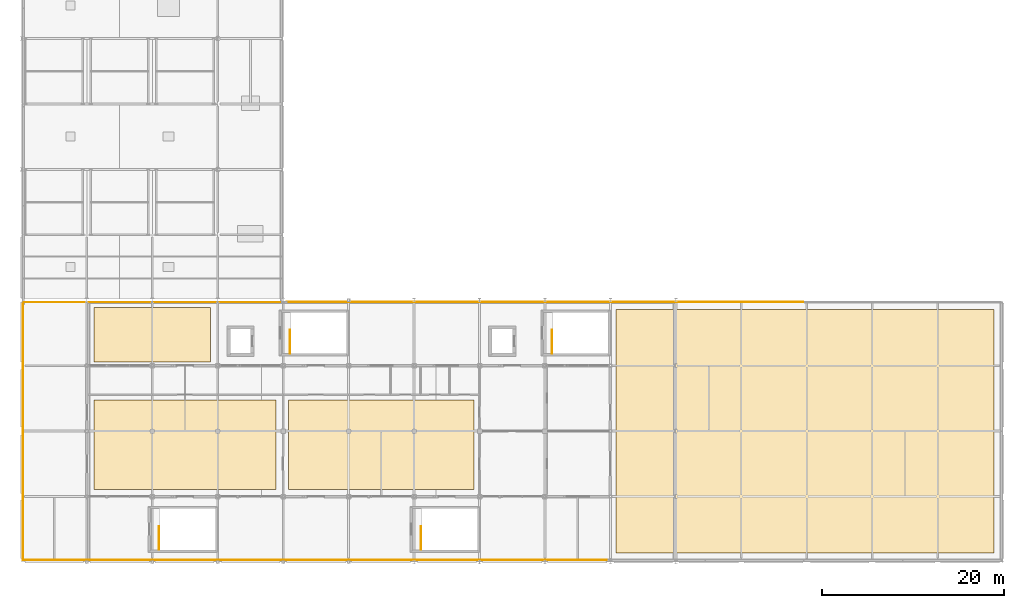
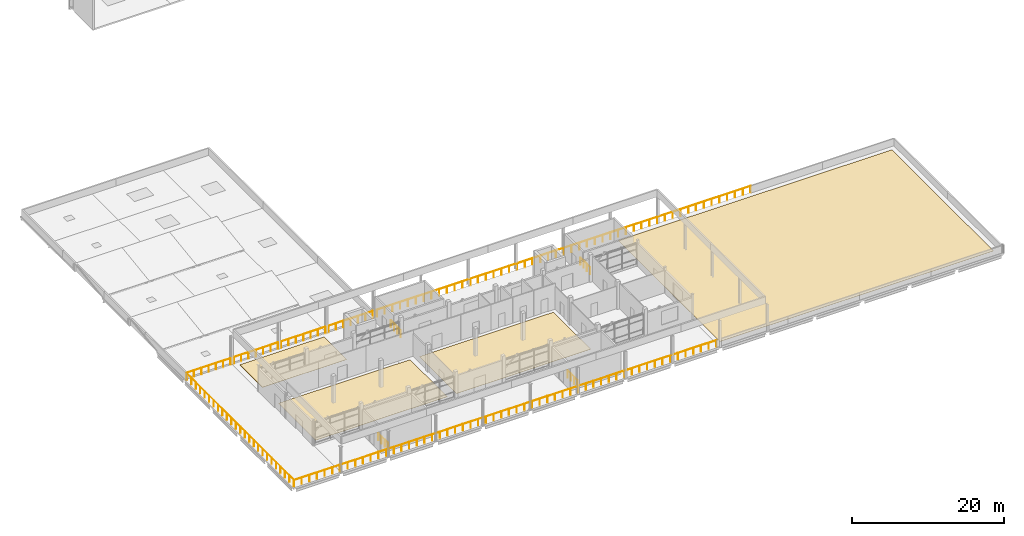
# One storey, part 28 of 32: 19 railings, 4 coverings.
"""IFC4 building model written with IfcOpenShell, lengths in metres."""

from ifc_helpers import new_model, si_unit, direction, frame, origin, origin_2d, place, context, subcontext, project, spatial, polyline, circle, outline, extrude, material, layer, layer_set, type_object, element, save


model = new_model("IFC4")

# Units and contexts
model_context = context("Model", 3, precision=1e-05, world=origin(), true_north=direction((0.0, 1.0)))
body_context = subcontext(model_context, "Body", "Model", "MODEL_VIEW")
ifc_project = project(units=[si_unit("LENGTHUNIT", "METRE"), si_unit("AREAUNIT", "SQUARE_METRE"), si_unit("VOLUMEUNIT", "CUBIC_METRE"), si_unit("PLANEANGLEUNIT", "RADIAN"), si_unit("MASSUNIT", "GRAM", prefix="KILO")], contexts=[model_context])

# Site, building, storey
site_placement = place(None, origin())
site = spatial("IfcSite", under=ifc_project, at=site_placement, CompositionType="ELEMENT")
building_placement = place(site_placement, origin())
building = spatial("IfcBuilding", under=site, at=building_placement, Name="Sardonyx Promenade Sports Hall", CompositionType="ELEMENT")
storey_placement = place(building_placement, frame((0.0, 0.0, 20.39990234375)))
storey = spatial("IfcBuildingStorey", under=building, at=storey_placement, Name="L04", CompositionType="ELEMENT", Elevation=20.39990234375)

# Coverings
ifc_material_1 = material(Name="EPDM polymeric athletic surfacing", Category="other")
ifc_layer = layer(ifc_material_1, 0.02490234375)
ifc_layer_set = layer_set([ifc_layer], Name="Cov_Floor_Athletic")
covering_type = type_object("IfcCoveringType", Name="Cov_Floor_Athletic", PredefinedType="FLOORING", material=ifc_layer_set)
covering_1_placement = place(storey_placement, origin())
element("IfcCovering", 1, at=covering_1_placement, inside=storey, type_object=covering_type, Name="Athletic flooring FLR2 L04 #21", PredefinedType="FLOORING", context=body_context, shape_type="SweptSolid", body=[
    extrude(outline(polyline([(8.0, 8.0), (28.0, 8.0), (28.0, 17.800048828125), (8.0, 17.800048828125), (8.0, 8.0)])), origin(), (0.0, 0.0, 1.0), 0.025146484375),
])
covering_2_placement = place(storey_placement, origin())
element("IfcCovering", 2, at=covering_2_placement, inside=storey, type_object=covering_type, Name="Athletic flooring FLR2 L04 #22", PredefinedType="FLOORING", context=body_context, shape_type="SweptSolid", body=[
    extrude(outline(polyline([(29.39990234375, 8.0), (49.800048828125, 8.0), (49.800048828125, 17.800048828125), (29.39990234375, 17.800048828125), (29.39990234375, 8.0)])), origin(), (0.0, 0.0, 1.0), 0.025146484375),
])
covering_3_placement = place(storey_placement, origin())
element("IfcCovering", 3, at=covering_3_placement, inside=storey, type_object=covering_type, Name="Athletic flooring FLR2 L04 #23", PredefinedType="FLOORING", context=body_context, shape_type="SweptSolid", body=[
    extrude(outline(polyline([(65.39990234375, 1.0), (107.0, 1.0), (107.0, 27.800048828125), (65.39990234375, 27.800048828125), (65.39990234375, 1.0)])), origin(), (0.0, 0.0, 1.0), 0.025146484375),
])
covering_4_placement = place(storey_placement, origin())
element("IfcCovering", 4, at=covering_4_placement, inside=storey, type_object=covering_type, Name="Athletic flooring FLR2 L04 #24", PredefinedType="FLOORING", context=body_context, shape_type="SweptSolid", body=[
    extrude(outline(polyline([(8.0, 22.0), (20.800048828125, 22.0), (20.800048828125, 28.0), (8.0, 28.0), (8.0, 22.0)])), origin(), (0.0, 0.0, 1.0), 0.025146484375),
])

# Railings
ifc_material_2 = material(Name="Galvanised and powder-coated Steel S355JR", Category="steel")
railing_type_1 = type_object("IfcRailingType", Name="Rail_Ext_Guard_1100", PredefinedType="GUARDRAIL", material=ifc_material_2)
railing_1_placement = place(storey_placement, frame((0.199951171875, 0.199951171875, 0.0)))
element("IfcRailing", 5, at=railing_1_placement, inside=storey, type_object=railing_type_1, Name="Terrace guardrail GR01 L04 #9", PredefinedType="GUARDRAIL", context=body_context, shape_type="SweptSolid", body=[
    extrude(circle(Radius=0.02392578125, at=origin_2d()), frame((0.0, 0.0, 1.0810546875), z_axis=(1.0, 0.0, 0.0), x_axis=(0.0, 1.0, 0.0)), (0.0, 0.0, 1.0), 12.840087890625),
    extrude(circle(Radius=0.02099609375, at=origin_2d()), origin(), (0.0, 0.0, 1.0), 1.056884765625),
    extrude(circle(Radius=0.02099609375, at=origin_2d()), frame((1.167236328125, 0.0, 0.0)), (0.0, 0.0, 1.0), 1.056884765625),
    extrude(circle(Radius=0.02099609375, at=origin_2d()), frame((2.33447265625, 0.0, 0.0)), (0.0, 0.0, 1.0), 1.056884765625),
    extrude(circle(Radius=0.02099609375, at=origin_2d()), frame((3.501953125, 0.0, 0.0)), (0.0, 0.0, 1.0), 1.056884765625),
    extrude(circle(Radius=0.02099609375, at=origin_2d()), frame((4.669189453125, 0.0, 0.0)), (0.0, 0.0, 1.0), 1.056884765625),
    extrude(circle(Radius=0.02099609375, at=origin_2d()), frame((5.83642578125, 0.0, 0.0)), (0.0, 0.0, 1.0), 1.056884765625),
    extrude(circle(Radius=0.02099609375, at=origin_2d()), frame((7.003662109375, 0.0, 0.0)), (0.0, 0.0, 1.0), 1.056884765625),
    extrude(circle(Radius=0.02099609375, at=origin_2d()), frame((8.1708984375, 0.0, 0.0)), (0.0, 0.0, 1.0), 1.056884765625),
    extrude(circle(Radius=0.02099609375, at=origin_2d()), frame((9.338134765625, 0.0, 0.0)), (0.0, 0.0, 1.0), 1.056884765625),
    extrude(circle(Radius=0.02099609375, at=origin_2d()), frame((10.505615234375, 0.0, 0.0)), (0.0, 0.0, 1.0), 1.056884765625),
    extrude(circle(Radius=0.02099609375, at=origin_2d()), frame((11.6728515625, 0.0, 0.0)), (0.0, 0.0, 1.0), 1.056884765625),
    extrude(circle(Radius=0.02099609375, at=origin_2d()), frame((12.840087890625, 0.0, 0.0)), (0.0, 0.0, 1.0), 1.056884765625),
])
railing_2_placement = place(storey_placement, frame((13.0400390625, 0.199951171875, 0.0)))
element("IfcRailing", 6, at=railing_2_placement, inside=storey, type_object=railing_type_1, Name="Terrace guardrail GR01 L04 #10", PredefinedType="GUARDRAIL", context=body_context, shape_type="SweptSolid", body=[
    extrude(circle(Radius=0.02392578125, at=origin_2d()), frame((0.0, 0.0, 1.0810546875), z_axis=(1.0, 0.0, 0.0), x_axis=(0.0, 1.0, 0.0)), (0.0, 0.0, 1.0), 12.83984375),
    extrude(circle(Radius=0.02099609375, at=origin_2d()), origin(), (0.0, 0.0, 1.0), 1.056884765625),
    extrude(circle(Radius=0.02099609375, at=origin_2d()), frame((1.167236328125, 0.0, 0.0)), (0.0, 0.0, 1.0), 1.056884765625),
    extrude(circle(Radius=0.02099609375, at=origin_2d()), frame((2.33447265625, 0.0, 0.0)), (0.0, 0.0, 1.0), 1.056884765625),
    extrude(circle(Radius=0.02099609375, at=origin_2d()), frame((3.501708984375, 0.0, 0.0)), (0.0, 0.0, 1.0), 1.056884765625),
    extrude(circle(Radius=0.02099609375, at=origin_2d()), frame((4.6689453125, 0.0, 0.0)), (0.0, 0.0, 1.0), 1.056884765625),
    extrude(circle(Radius=0.02099609375, at=origin_2d()), frame((5.836181640625, 0.0, 0.0)), (0.0, 0.0, 1.0), 1.056884765625),
    extrude(circle(Radius=0.02099609375, at=origin_2d()), frame((7.003662109375, 0.0, 0.0)), (0.0, 0.0, 1.0), 1.056884765625),
    extrude(circle(Radius=0.02099609375, at=origin_2d()), frame((8.1708984375, 0.0, 0.0)), (0.0, 0.0, 1.0), 1.056884765625),
    extrude(circle(Radius=0.02099609375, at=origin_2d()), frame((9.338134765625, 0.0, 0.0)), (0.0, 0.0, 1.0), 1.056884765625),
    extrude(circle(Radius=0.02099609375, at=origin_2d()), frame((10.50537109375, 0.0, 0.0)), (0.0, 0.0, 1.0), 1.056884765625),
    extrude(circle(Radius=0.02099609375, at=origin_2d()), frame((11.672607421875, 0.0, 0.0)), (0.0, 0.0, 1.0), 1.056884765625),
    extrude(circle(Radius=0.02099609375, at=origin_2d()), frame((12.83984375, 0.0, 0.0)), (0.0, 0.0, 1.0), 1.056884765625),
])
for number, where, name in (
    (7, (25.8798828125, 0.199951171875, 0.0), "Terrace guardrail GR01 L04 #11"),
    (8, (38.719970703125, 0.199951171875, 0.0), "Terrace guardrail GR01 L04 #12"),
):
    element("IfcRailing", number, at=place(storey_placement, frame(where)), inside=storey, type_object=railing_type_1, Name=name, PredefinedType="GUARDRAIL", context=body_context, shape_type="SweptSolid", body=[
        extrude(circle(Radius=0.02392578125, at=origin_2d()), frame((0.0, 0.0, 1.0810546875), z_axis=(1.0, 0.0, 0.0), x_axis=(0.0, 1.0, 0.0)), (0.0, 0.0, 1.0), 12.840087890625),
        extrude(circle(Radius=0.02099609375, at=origin_2d()), origin(), (0.0, 0.0, 1.0), 1.056884765625),
        extrude(circle(Radius=0.02099609375, at=origin_2d()), frame((1.167236328125, 0.0, 0.0)), (0.0, 0.0, 1.0), 1.056884765625),
        extrude(circle(Radius=0.02099609375, at=origin_2d()), frame((2.33447265625, 0.0, 0.0)), (0.0, 0.0, 1.0), 1.056884765625),
        extrude(circle(Radius=0.02099609375, at=origin_2d()), frame((3.501953125, 0.0, 0.0)), (0.0, 0.0, 1.0), 1.056884765625),
        extrude(circle(Radius=0.02099609375, at=origin_2d()), frame((4.669189453125, 0.0, 0.0)), (0.0, 0.0, 1.0), 1.056884765625),
        extrude(circle(Radius=0.02099609375, at=origin_2d()), frame((5.83642578125, 0.0, 0.0)), (0.0, 0.0, 1.0), 1.056884765625),
        extrude(circle(Radius=0.02099609375, at=origin_2d()), frame((7.003662109375, 0.0, 0.0)), (0.0, 0.0, 1.0), 1.056884765625),
        extrude(circle(Radius=0.02099609375, at=origin_2d()), frame((8.1708984375, 0.0, 0.0)), (0.0, 0.0, 1.0), 1.056884765625),
        extrude(circle(Radius=0.02099609375, at=origin_2d()), frame((9.338134765625, 0.0, 0.0)), (0.0, 0.0, 1.0), 1.056884765625),
        extrude(circle(Radius=0.02099609375, at=origin_2d()), frame((10.505615234375, 0.0, 0.0)), (0.0, 0.0, 1.0), 1.056884765625),
        extrude(circle(Radius=0.02099609375, at=origin_2d()), frame((11.6728515625, 0.0, 0.0)), (0.0, 0.0, 1.0), 1.056884765625),
        extrude(circle(Radius=0.02099609375, at=origin_2d()), frame((12.840087890625, 0.0, 0.0)), (0.0, 0.0, 1.0), 1.056884765625),
    ])
railing_3_placement = place(storey_placement, frame((51.56005859375, 0.199951171875, 0.0)))
element("IfcRailing", 9, at=railing_3_placement, inside=storey, type_object=railing_type_1, Name="Terrace guardrail GR01 L04 #13", PredefinedType="GUARDRAIL", context=body_context, shape_type="SweptSolid", body=[
    extrude(circle(Radius=0.02392578125, at=origin_2d()), frame((0.0, 0.0, 1.0810546875), z_axis=(1.0, 0.0, 0.0), x_axis=(0.0, 1.0, 0.0)), (0.0, 0.0, 1.0), 12.83984375),
    extrude(circle(Radius=0.02099609375, at=origin_2d()), origin(), (0.0, 0.0, 1.0), 1.056884765625),
    extrude(circle(Radius=0.02099609375, at=origin_2d()), frame((1.167236328125, 0.0, 0.0)), (0.0, 0.0, 1.0), 1.056884765625),
    extrude(circle(Radius=0.02099609375, at=origin_2d()), frame((2.33447265625, 0.0, 0.0)), (0.0, 0.0, 1.0), 1.056884765625),
    extrude(circle(Radius=0.02099609375, at=origin_2d()), frame((3.501708984375, 0.0, 0.0)), (0.0, 0.0, 1.0), 1.056884765625),
    extrude(circle(Radius=0.02099609375, at=origin_2d()), frame((4.6689453125, 0.0, 0.0)), (0.0, 0.0, 1.0), 1.056884765625),
    extrude(circle(Radius=0.02099609375, at=origin_2d()), frame((5.836181640625, 0.0, 0.0)), (0.0, 0.0, 1.0), 1.056884765625),
    extrude(circle(Radius=0.02099609375, at=origin_2d()), frame((7.003662109375, 0.0, 0.0)), (0.0, 0.0, 1.0), 1.056884765625),
    extrude(circle(Radius=0.02099609375, at=origin_2d()), frame((8.1708984375, 0.0, 0.0)), (0.0, 0.0, 1.0), 1.056884765625),
    extrude(circle(Radius=0.02099609375, at=origin_2d()), frame((9.338134765625, 0.0, 0.0)), (0.0, 0.0, 1.0), 1.056884765625),
    extrude(circle(Radius=0.02099609375, at=origin_2d()), frame((10.50537109375, 0.0, 0.0)), (0.0, 0.0, 1.0), 1.056884765625),
    extrude(circle(Radius=0.02099609375, at=origin_2d()), frame((11.672607421875, 0.0, 0.0)), (0.0, 0.0, 1.0), 1.056884765625),
    extrude(circle(Radius=0.02099609375, at=origin_2d()), frame((12.83984375, 0.0, 0.0)), (0.0, 0.0, 1.0), 1.056884765625),
])
railing_4_placement = place(storey_placement, frame((0.199951171875, 0.199951171875, 0.0)))
element("IfcRailing", 10, at=railing_4_placement, inside=storey, type_object=railing_type_1, Name="Terrace guardrail GR01 L04 #14", PredefinedType="GUARDRAIL", context=body_context, shape_type="SweptSolid", body=[
    extrude(circle(Radius=0.02392578125, at=origin_2d()), frame((0.0, 0.0, 1.0810546875), z_axis=(0.0, 1.0, 0.0), x_axis=(-1.0, 0.0, 0.0)), (0.0, 0.0, 1.0), 14.10009765625),
    extrude(circle(Radius=0.02099609375, at=origin_2d()), origin(), (0.0, 0.0, 1.0), 1.056884765625),
    extrude(circle(Radius=0.02099609375, at=origin_2d()), frame((0.0, 1.175048828125, 0.0)), (0.0, 0.0, 1.0), 1.056884765625),
    extrude(circle(Radius=0.02099609375, at=origin_2d()), frame((0.0, 2.35009765625, 0.0)), (0.0, 0.0, 1.0), 1.056884765625),
    extrude(circle(Radius=0.02099609375, at=origin_2d()), frame((0.0, 3.52490234375, 0.0)), (0.0, 0.0, 1.0), 1.056884765625),
    extrude(circle(Radius=0.02099609375, at=origin_2d()), frame((0.0, 4.699951171875, 0.0)), (0.0, 0.0, 1.0), 1.056884765625),
    extrude(circle(Radius=0.02099609375, at=origin_2d()), frame((0.0, 5.875, 0.0)), (0.0, 0.0, 1.0), 1.056884765625),
    extrude(circle(Radius=0.02099609375, at=origin_2d()), frame((0.0, 7.050048828125, 0.0)), (0.0, 0.0, 1.0), 1.056884765625),
    extrude(circle(Radius=0.02099609375, at=origin_2d()), frame((0.0, 8.22509765625, 0.0)), (0.0, 0.0, 1.0), 1.056884765625),
    extrude(circle(Radius=0.02099609375, at=origin_2d()), frame((0.0, 9.400146484375, 0.0)), (0.0, 0.0, 1.0), 1.056884765625),
    extrude(circle(Radius=0.02099609375, at=origin_2d()), frame((0.0, 10.5751953125, 0.0)), (0.0, 0.0, 1.0), 1.056884765625),
    extrude(circle(Radius=0.02099609375, at=origin_2d()), frame((0.0, 11.75, 0.0)), (0.0, 0.0, 1.0), 1.056884765625),
    extrude(circle(Radius=0.02099609375, at=origin_2d()), frame((0.0, 12.925048828125, 0.0)), (0.0, 0.0, 1.0), 1.056884765625),
    extrude(circle(Radius=0.02099609375, at=origin_2d()), frame((0.0, 14.10009765625, 0.0)), (0.0, 0.0, 1.0), 1.056884765625),
])
railing_5_placement = place(storey_placement, frame((0.199951171875, 14.300048828125, 0.0)))
element("IfcRailing", 11, at=railing_5_placement, inside=storey, type_object=railing_type_1, Name="Terrace guardrail GR01 L04 #15", PredefinedType="GUARDRAIL", context=body_context, shape_type="SweptSolid", body=[
    extrude(circle(Radius=0.02392578125, at=origin_2d()), frame((0.0, 0.0, 1.0810546875), z_axis=(0.0, 1.0, 0.0), x_axis=(-1.0, 0.0, 0.0)), (0.0, 0.0, 1.0), 14.099853515625),
    extrude(circle(Radius=0.02099609375, at=origin_2d()), origin(), (0.0, 0.0, 1.0), 1.056884765625),
    extrude(circle(Radius=0.02099609375, at=origin_2d()), frame((0.0, 1.175048828125, 0.0)), (0.0, 0.0, 1.0), 1.056884765625),
    extrude(circle(Radius=0.02099609375, at=origin_2d()), frame((0.0, 2.35009765625, 0.0)), (0.0, 0.0, 1.0), 1.056884765625),
    extrude(circle(Radius=0.02099609375, at=origin_2d()), frame((0.0, 3.52490234375, 0.0)), (0.0, 0.0, 1.0), 1.056884765625),
    extrude(circle(Radius=0.02099609375, at=origin_2d()), frame((0.0, 4.699951171875, 0.0)), (0.0, 0.0, 1.0), 1.056884765625),
    extrude(circle(Radius=0.02099609375, at=origin_2d()), frame((0.0, 5.875, 0.0)), (0.0, 0.0, 1.0), 1.056884765625),
    extrude(circle(Radius=0.02099609375, at=origin_2d()), frame((0.0, 7.0498046875, 0.0)), (0.0, 0.0, 1.0), 1.056884765625),
    extrude(circle(Radius=0.02099609375, at=origin_2d()), frame((0.0, 8.224853515625, 0.0)), (0.0, 0.0, 1.0), 1.056884765625),
    extrude(circle(Radius=0.02099609375, at=origin_2d()), frame((0.0, 9.39990234375, 0.0)), (0.0, 0.0, 1.0), 1.056884765625),
    extrude(circle(Radius=0.02099609375, at=origin_2d()), frame((0.0, 10.574951171875, 0.0)), (0.0, 0.0, 1.0), 1.056884765625),
    extrude(circle(Radius=0.02099609375, at=origin_2d()), frame((0.0, 11.75, 0.0)), (0.0, 0.0, 1.0), 1.056884765625),
    extrude(circle(Radius=0.02099609375, at=origin_2d()), frame((0.0, 12.9248046875, 0.0)), (0.0, 0.0, 1.0), 1.056884765625),
    extrude(circle(Radius=0.02099609375, at=origin_2d()), frame((0.0, 14.099853515625, 0.0)), (0.0, 0.0, 1.0), 1.056884765625),
])
railing_6_placement = place(storey_placement, frame((29.199951171875, 28.60009765625, 0.0)))
element("IfcRailing", 12, at=railing_6_placement, inside=storey, type_object=railing_type_1, Name="Terrace guardrail GR01 L04 #16", PredefinedType="GUARDRAIL", context=body_context, shape_type="SweptSolid", body=[
    extrude(circle(Radius=0.02392578125, at=origin_2d()), frame((0.0, 0.0, 1.0810546875), z_axis=(1.0, 0.0, 0.0), x_axis=(0.0, 1.0, 0.0)), (0.0, 0.0, 1.0), 14.199951171875),
    extrude(circle(Radius=0.02099609375, at=origin_2d()), origin(), (0.0, 0.0, 1.0), 1.056884765625),
    extrude(circle(Radius=0.02099609375, at=origin_2d()), frame((1.183349609375, 0.0, 0.0)), (0.0, 0.0, 1.0), 1.056884765625),
    extrude(circle(Radius=0.02099609375, at=origin_2d()), frame((2.36669921875, 0.0, 0.0)), (0.0, 0.0, 1.0), 1.056884765625),
    extrude(circle(Radius=0.02099609375, at=origin_2d()), frame((3.550048828125, 0.0, 0.0)), (0.0, 0.0, 1.0), 1.056884765625),
    extrude(circle(Radius=0.02099609375, at=origin_2d()), frame((4.7333984375, 0.0, 0.0)), (0.0, 0.0, 1.0), 1.056884765625),
    extrude(circle(Radius=0.02099609375, at=origin_2d()), frame((5.916748046875, 0.0, 0.0)), (0.0, 0.0, 1.0), 1.056884765625),
    extrude(circle(Radius=0.02099609375, at=origin_2d()), frame((7.10009765625, 0.0, 0.0)), (0.0, 0.0, 1.0), 1.056884765625),
    extrude(circle(Radius=0.02099609375, at=origin_2d()), frame((8.283203125, 0.0, 0.0)), (0.0, 0.0, 1.0), 1.056884765625),
    extrude(circle(Radius=0.02099609375, at=origin_2d()), frame((9.466552734375, 0.0, 0.0)), (0.0, 0.0, 1.0), 1.056884765625),
    extrude(circle(Radius=0.02099609375, at=origin_2d()), frame((10.64990234375, 0.0, 0.0)), (0.0, 0.0, 1.0), 1.056884765625),
    extrude(circle(Radius=0.02099609375, at=origin_2d()), frame((11.833251953125, 0.0, 0.0)), (0.0, 0.0, 1.0), 1.056884765625),
    extrude(circle(Radius=0.02099609375, at=origin_2d()), frame((13.0166015625, 0.0, 0.0)), (0.0, 0.0, 1.0), 1.056884765625),
    extrude(circle(Radius=0.02099609375, at=origin_2d()), frame((14.199951171875, 0.0, 0.0)), (0.0, 0.0, 1.0), 1.056884765625),
])
railing_7_placement = place(storey_placement, frame((43.39990234375, 28.60009765625, 0.0)))
element("IfcRailing", 13, at=railing_7_placement, inside=storey, type_object=railing_type_1, Name="Terrace guardrail GR01 L04 #17", PredefinedType="GUARDRAIL", context=body_context, shape_type="SweptSolid", body=[
    extrude(circle(Radius=0.02392578125, at=origin_2d()), frame((0.0, 0.0, 1.0810546875), z_axis=(1.0, 0.0, 0.0), x_axis=(0.0, 1.0, 0.0)), (0.0, 0.0, 1.0), 14.2001953125),
    extrude(circle(Radius=0.02099609375, at=origin_2d()), origin(), (0.0, 0.0, 1.0), 1.056884765625),
    extrude(circle(Radius=0.02099609375, at=origin_2d()), frame((1.183349609375, 0.0, 0.0)), (0.0, 0.0, 1.0), 1.056884765625),
    extrude(circle(Radius=0.02099609375, at=origin_2d()), frame((2.36669921875, 0.0, 0.0)), (0.0, 0.0, 1.0), 1.056884765625),
    extrude(circle(Radius=0.02099609375, at=origin_2d()), frame((3.550048828125, 0.0, 0.0)), (0.0, 0.0, 1.0), 1.056884765625),
    extrude(circle(Radius=0.02099609375, at=origin_2d()), frame((4.7333984375, 0.0, 0.0)), (0.0, 0.0, 1.0), 1.056884765625),
    extrude(circle(Radius=0.02099609375, at=origin_2d()), frame((5.916748046875, 0.0, 0.0)), (0.0, 0.0, 1.0), 1.056884765625),
    extrude(circle(Radius=0.02099609375, at=origin_2d()), frame((7.10009765625, 0.0, 0.0)), (0.0, 0.0, 1.0), 1.056884765625),
    extrude(circle(Radius=0.02099609375, at=origin_2d()), frame((8.283447265625, 0.0, 0.0)), (0.0, 0.0, 1.0), 1.056884765625),
    extrude(circle(Radius=0.02099609375, at=origin_2d()), frame((9.466796875, 0.0, 0.0)), (0.0, 0.0, 1.0), 1.056884765625),
    extrude(circle(Radius=0.02099609375, at=origin_2d()), frame((10.650146484375, 0.0, 0.0)), (0.0, 0.0, 1.0), 1.056884765625),
    extrude(circle(Radius=0.02099609375, at=origin_2d()), frame((11.83349609375, 0.0, 0.0)), (0.0, 0.0, 1.0), 1.056884765625),
    extrude(circle(Radius=0.02099609375, at=origin_2d()), frame((13.016845703125, 0.0, 0.0)), (0.0, 0.0, 1.0), 1.056884765625),
    extrude(circle(Radius=0.02099609375, at=origin_2d()), frame((14.2001953125, 0.0, 0.0)), (0.0, 0.0, 1.0), 1.056884765625),
])
railing_8_placement = place(storey_placement, frame((57.60009765625, 28.60009765625, 0.0)))
element("IfcRailing", 14, at=railing_8_placement, inside=storey, type_object=railing_type_1, Name="Terrace guardrail GR01 L04 #18", PredefinedType="GUARDRAIL", context=body_context, shape_type="SweptSolid", body=[
    extrude(circle(Radius=0.02392578125, at=origin_2d()), frame((0.0, 0.0, 1.0810546875), z_axis=(1.0, 0.0, 0.0), x_axis=(0.0, 1.0, 0.0)), (0.0, 0.0, 1.0), 14.199951171875),
    extrude(circle(Radius=0.02099609375, at=origin_2d()), origin(), (0.0, 0.0, 1.0), 1.056884765625),
    extrude(circle(Radius=0.02099609375, at=origin_2d()), frame((1.183349609375, 0.0, 0.0)), (0.0, 0.0, 1.0), 1.056884765625),
    extrude(circle(Radius=0.02099609375, at=origin_2d()), frame((2.36669921875, 0.0, 0.0)), (0.0, 0.0, 1.0), 1.056884765625),
    extrude(circle(Radius=0.02099609375, at=origin_2d()), frame((3.550048828125, 0.0, 0.0)), (0.0, 0.0, 1.0), 1.056884765625),
    extrude(circle(Radius=0.02099609375, at=origin_2d()), frame((4.7333984375, 0.0, 0.0)), (0.0, 0.0, 1.0), 1.056884765625),
    extrude(circle(Radius=0.02099609375, at=origin_2d()), frame((5.916748046875, 0.0, 0.0)), (0.0, 0.0, 1.0), 1.056884765625),
    extrude(circle(Radius=0.02099609375, at=origin_2d()), frame((7.10009765625, 0.0, 0.0)), (0.0, 0.0, 1.0), 1.056884765625),
    extrude(circle(Radius=0.02099609375, at=origin_2d()), frame((8.283203125, 0.0, 0.0)), (0.0, 0.0, 1.0), 1.056884765625),
    extrude(circle(Radius=0.02099609375, at=origin_2d()), frame((9.466552734375, 0.0, 0.0)), (0.0, 0.0, 1.0), 1.056884765625),
    extrude(circle(Radius=0.02099609375, at=origin_2d()), frame((10.64990234375, 0.0, 0.0)), (0.0, 0.0, 1.0), 1.056884765625),
    extrude(circle(Radius=0.02099609375, at=origin_2d()), frame((11.833251953125, 0.0, 0.0)), (0.0, 0.0, 1.0), 1.056884765625),
    extrude(circle(Radius=0.02099609375, at=origin_2d()), frame((13.0166015625, 0.0, 0.0)), (0.0, 0.0, 1.0), 1.056884765625),
    extrude(circle(Radius=0.02099609375, at=origin_2d()), frame((14.199951171875, 0.0, 0.0)), (0.0, 0.0, 1.0), 1.056884765625),
])
railing_9_placement = place(storey_placement, frame((71.800048828125, 28.60009765625, 0.0)))
element("IfcRailing", 15, at=railing_9_placement, inside=storey, type_object=railing_type_1, Name="Terrace guardrail GR01 L04 #19", PredefinedType="GUARDRAIL", context=body_context, shape_type="SweptSolid", body=[
    extrude(circle(Radius=0.02392578125, at=origin_2d()), frame((0.0, 0.0, 1.0810546875), z_axis=(1.0, 0.0, 0.0), x_axis=(0.0, 1.0, 0.0)), (0.0, 0.0, 1.0), 14.199951171875),
    extrude(circle(Radius=0.02099609375, at=origin_2d()), origin(), (0.0, 0.0, 1.0), 1.056884765625),
    extrude(circle(Radius=0.02099609375, at=origin_2d()), frame((1.183349609375, 0.0, 0.0)), (0.0, 0.0, 1.0), 1.056884765625),
    extrude(circle(Radius=0.02099609375, at=origin_2d()), frame((2.36669921875, 0.0, 0.0)), (0.0, 0.0, 1.0), 1.056884765625),
    extrude(circle(Radius=0.02099609375, at=origin_2d()), frame((3.550048828125, 0.0, 0.0)), (0.0, 0.0, 1.0), 1.056884765625),
    extrude(circle(Radius=0.02099609375, at=origin_2d()), frame((4.7333984375, 0.0, 0.0)), (0.0, 0.0, 1.0), 1.056884765625),
    extrude(circle(Radius=0.02099609375, at=origin_2d()), frame((5.916748046875, 0.0, 0.0)), (0.0, 0.0, 1.0), 1.056884765625),
    extrude(circle(Radius=0.02099609375, at=origin_2d()), frame((7.10009765625, 0.0, 0.0)), (0.0, 0.0, 1.0), 1.056884765625),
    extrude(circle(Radius=0.02099609375, at=origin_2d()), frame((8.283203125, 0.0, 0.0)), (0.0, 0.0, 1.0), 1.056884765625),
    extrude(circle(Radius=0.02099609375, at=origin_2d()), frame((9.466552734375, 0.0, 0.0)), (0.0, 0.0, 1.0), 1.056884765625),
    extrude(circle(Radius=0.02099609375, at=origin_2d()), frame((10.64990234375, 0.0, 0.0)), (0.0, 0.0, 1.0), 1.056884765625),
    extrude(circle(Radius=0.02099609375, at=origin_2d()), frame((11.833251953125, 0.0, 0.0)), (0.0, 0.0, 1.0), 1.056884765625),
    extrude(circle(Radius=0.02099609375, at=origin_2d()), frame((13.0166015625, 0.0, 0.0)), (0.0, 0.0, 1.0), 1.056884765625),
    extrude(circle(Radius=0.02099609375, at=origin_2d()), frame((14.199951171875, 0.0, 0.0)), (0.0, 0.0, 1.0), 1.056884765625),
])
ifc_material_3 = material(Name="Powder-coated Steel S355JR", Category="steel")
railing_type_2 = type_object("IfcRailingType", Name="Rail_Int_Guard_1100", PredefinedType="GUARDRAIL", material=ifc_material_3)
for number, where, name in (
    (16, (29.56005859375, 22.945068359375, 0.0), "Stair floor-edge guard ST1 L04"),
    (17, (58.360107421875, 22.945068359375, 0.0), "Stair floor-edge guard ST3 L04"),
):
    element("IfcRailing", number, at=place(storey_placement, frame(where)), inside=storey, type_object=railing_type_2, Name=name, PredefinedType="GUARDRAIL", context=body_context, shape_type="SweptSolid", body=[
        extrude(circle(Radius=0.02392578125, at=origin_2d()), frame((0.0, 0.0, 1.09619140625), z_axis=(0.0, 1.0, 0.0), x_axis=(-1.0, 0.0, 0.0)), (0.0, 0.0, 1.0), 2.56982421875),
        extrude(circle(Radius=0.02392578125, at=origin_2d()), frame((0.0, 2.56982421875, 1.09619140625), z_axis=(-1.0, 0.0, 0.0), x_axis=(0.0, -1.0, 0.0)), (0.0, 0.0, 1.0), 0.010009765625),
        extrude(circle(Radius=0.02099609375, at=origin_2d()), origin(), (0.0, 0.0, 1.0), 1.072021484375),
        extrude(circle(Radius=0.02099609375, at=origin_2d()), frame((0.0, 0.856689453125, 0.0)), (0.0, 0.0, 1.0), 1.072021484375),
        extrude(circle(Radius=0.02099609375, at=origin_2d()), frame((0.0, 1.713134765625, 0.0)), (0.0, 0.0, 1.0), 1.072021484375),
        extrude(circle(Radius=0.02099609375, at=origin_2d()), frame((0.0, 2.56982421875, 0.0)), (0.0, 0.0, 1.0), 1.072021484375),
        extrude(circle(Radius=0.02099609375, at=origin_2d()), frame((-0.010009765625, 2.56982421875, 0.0)), (0.0, 0.0, 1.0), 1.072021484375),
    ])
for number, where, name in (
    (18, (15.159912109375, 1.344970703125, 0.0), "Stair floor-edge guard ST5 L04"),
    (19, (43.9599609375, 1.344970703125, 0.0), "Stair floor-edge guard ST6 L04"),
):
    element("IfcRailing", number, at=place(storey_placement, frame(where)), inside=storey, type_object=railing_type_2, Name=name, PredefinedType="GUARDRAIL", context=body_context, shape_type="SweptSolid", body=[
        extrude(circle(Radius=0.02392578125, at=origin_2d()), frame((0.0, 0.0, 1.09619140625), z_axis=(0.0, 1.0, 0.0), x_axis=(-1.0, 0.0, 0.0)), (0.0, 0.0, 1.0), 2.570068359375),
        extrude(circle(Radius=0.02392578125, at=origin_2d()), frame((0.0, 2.570068359375, 1.09619140625), z_axis=(-1.0, 0.0, 0.0), x_axis=(0.0, -1.0, 0.0)), (0.0, 0.0, 1.0), 0.010009765625),
        extrude(circle(Radius=0.02099609375, at=origin_2d()), origin(), (0.0, 0.0, 1.0), 1.072021484375),
        extrude(circle(Radius=0.02099609375, at=origin_2d()), frame((0.0, 0.856689453125, 0.0)), (0.0, 0.0, 1.0), 1.072021484375),
        extrude(circle(Radius=0.02099609375, at=origin_2d()), frame((0.0, 1.71337890625, 0.0)), (0.0, 0.0, 1.0), 1.072021484375),
        extrude(circle(Radius=0.02099609375, at=origin_2d()), frame((0.0, 2.570068359375, 0.0)), (0.0, 0.0, 1.0), 1.072021484375),
        extrude(circle(Radius=0.02099609375, at=origin_2d()), frame((-0.010009765625, 2.570068359375, 0.0)), (0.0, 0.0, 1.0), 1.072021484375),
    ])
railing_10_placement = place(storey_placement, frame((28.550048828125, 28.580078125, 0.0)))
element("IfcRailing", 20, at=railing_10_placement, inside=storey, type_object=railing_type_2, Name="Deck-edge guardrail GR02 L04 #76", PredefinedType="GUARDRAIL", context=body_context, shape_type="SweptSolid", body=[
    extrude(circle(Radius=0.02392578125, at=origin_2d()), frame((0.0, 0.0, 1.09619140625), z_axis=(-1.0, 0.0, 0.0), x_axis=(0.0, -1.0, 0.0)), (0.0, 0.0, 1.0), 6.699951171875),
    extrude(circle(Radius=0.02099609375, at=origin_2d()), origin(), (0.0, 0.0, 1.0), 1.072021484375),
    extrude(circle(Radius=0.02099609375, at=origin_2d()), frame((-1.11669921875, 0.0, 0.0)), (0.0, 0.0, 1.0), 1.072021484375),
    extrude(circle(Radius=0.02099609375, at=origin_2d()), frame((-2.2333984375, 0.0, 0.0)), (0.0, 0.0, 1.0), 1.072021484375),
    extrude(circle(Radius=0.02099609375, at=origin_2d()), frame((-3.35009765625, 0.0, 0.0)), (0.0, 0.0, 1.0), 1.072021484375),
    extrude(circle(Radius=0.02099609375, at=origin_2d()), frame((-4.466552734375, 0.0, 0.0)), (0.0, 0.0, 1.0), 1.072021484375),
    extrude(circle(Radius=0.02099609375, at=origin_2d()), frame((-5.583251953125, 0.0, 0.0)), (0.0, 0.0, 1.0), 1.072021484375),
    extrude(circle(Radius=0.02099609375, at=origin_2d()), frame((-6.699951171875, 0.0, 0.0)), (0.0, 0.0, 1.0), 1.072021484375),
])
railing_11_placement = place(storey_placement, frame((21.35009765625, 28.580078125, 0.0)))
element("IfcRailing", 21, at=railing_11_placement, inside=storey, type_object=railing_type_2, Name="Deck-edge guardrail GR02 L04 #77", PredefinedType="GUARDRAIL", context=body_context, shape_type="SweptSolid", body=[
    extrude(circle(Radius=0.02392578125, at=origin_2d()), frame((0.0, 0.0, 1.09619140625), z_axis=(-1.0, 0.0, 0.0), x_axis=(0.0, -1.0, 0.0)), (0.0, 0.0, 1.0), 6.7001953125),
    extrude(circle(Radius=0.02099609375, at=origin_2d()), origin(), (0.0, 0.0, 1.0), 1.072021484375),
    extrude(circle(Radius=0.02099609375, at=origin_2d()), frame((-1.11669921875, 0.0, 0.0)), (0.0, 0.0, 1.0), 1.072021484375),
    extrude(circle(Radius=0.02099609375, at=origin_2d()), frame((-2.2333984375, 0.0, 0.0)), (0.0, 0.0, 1.0), 1.072021484375),
    extrude(circle(Radius=0.02099609375, at=origin_2d()), frame((-3.35009765625, 0.0, 0.0)), (0.0, 0.0, 1.0), 1.072021484375),
    extrude(circle(Radius=0.02099609375, at=origin_2d()), frame((-4.466796875, 0.0, 0.0)), (0.0, 0.0, 1.0), 1.072021484375),
    extrude(circle(Radius=0.02099609375, at=origin_2d()), frame((-5.58349609375, 0.0, 0.0)), (0.0, 0.0, 1.0), 1.072021484375),
    extrude(circle(Radius=0.02099609375, at=origin_2d()), frame((-6.7001953125, 0.0, 0.0)), (0.0, 0.0, 1.0), 1.072021484375),
])
railing_12_placement = place(storey_placement, frame((14.14990234375, 28.580078125, 0.0)))
element("IfcRailing", 22, at=railing_12_placement, inside=storey, type_object=railing_type_2, Name="Deck-edge guardrail GR02 L04 #78", PredefinedType="GUARDRAIL", context=body_context, shape_type="SweptSolid", body=[
    extrude(circle(Radius=0.02392578125, at=origin_2d()), frame((0.0, 0.0, 1.09619140625), z_axis=(-1.0, 0.0, 0.0), x_axis=(0.0, -1.0, 0.0)), (0.0, 0.0, 1.0), 6.699951171875),
    extrude(circle(Radius=0.02099609375, at=origin_2d()), origin(), (0.0, 0.0, 1.0), 1.072021484375),
    extrude(circle(Radius=0.02099609375, at=origin_2d()), frame((-1.11669921875, 0.0, 0.0)), (0.0, 0.0, 1.0), 1.072021484375),
    extrude(circle(Radius=0.02099609375, at=origin_2d()), frame((-2.2333984375, 0.0, 0.0)), (0.0, 0.0, 1.0), 1.072021484375),
    extrude(circle(Radius=0.02099609375, at=origin_2d()), frame((-3.35009765625, 0.0, 0.0)), (0.0, 0.0, 1.0), 1.072021484375),
    extrude(circle(Radius=0.02099609375, at=origin_2d()), frame((-4.466552734375, 0.0, 0.0)), (0.0, 0.0, 1.0), 1.072021484375),
    extrude(circle(Radius=0.02099609375, at=origin_2d()), frame((-5.583251953125, 0.0, 0.0)), (0.0, 0.0, 1.0), 1.072021484375),
    extrude(circle(Radius=0.02099609375, at=origin_2d()), frame((-6.699951171875, 0.0, 0.0)), (0.0, 0.0, 1.0), 1.072021484375),
])
railing_13_placement = place(storey_placement, frame((6.949951171875, 28.580078125, 0.0)))
element("IfcRailing", 23, at=railing_13_placement, inside=storey, type_object=railing_type_2, Name="Deck-edge guardrail GR02 L04 #79", PredefinedType="GUARDRAIL", context=body_context, shape_type="SweptSolid", body=[
    extrude(circle(Radius=0.02392578125, at=origin_2d()), frame((0.0, 0.0, 1.09619140625), z_axis=(-1.0, 0.0, 0.0), x_axis=(0.0, -1.0, 0.0)), (0.0, 0.0, 1.0), 6.671630859375),
    extrude(circle(Radius=0.02099609375, at=origin_2d()), origin(), (0.0, 0.0, 1.0), 1.072021484375),
    extrude(circle(Radius=0.02099609375, at=origin_2d()), frame((-1.11181640625, 0.0, 0.0)), (0.0, 0.0, 1.0), 1.072021484375),
    extrude(circle(Radius=0.02099609375, at=origin_2d()), frame((-2.223876953125, 0.0, 0.0)), (0.0, 0.0, 1.0), 1.072021484375),
    extrude(circle(Radius=0.02099609375, at=origin_2d()), frame((-3.3359375, 0.0, 0.0)), (0.0, 0.0, 1.0), 1.072021484375),
    extrude(circle(Radius=0.02099609375, at=origin_2d()), frame((-4.44775390625, 0.0, 0.0)), (0.0, 0.0, 1.0), 1.072021484375),
    extrude(circle(Radius=0.02099609375, at=origin_2d()), frame((-5.5595703125, 0.0, 0.0)), (0.0, 0.0, 1.0), 1.072021484375),
    extrude(circle(Radius=0.02099609375, at=origin_2d()), frame((-6.671630859375, 0.0, 0.0)), (0.0, 0.0, 1.0), 1.072021484375),
])

save(model, "model.ifc")
